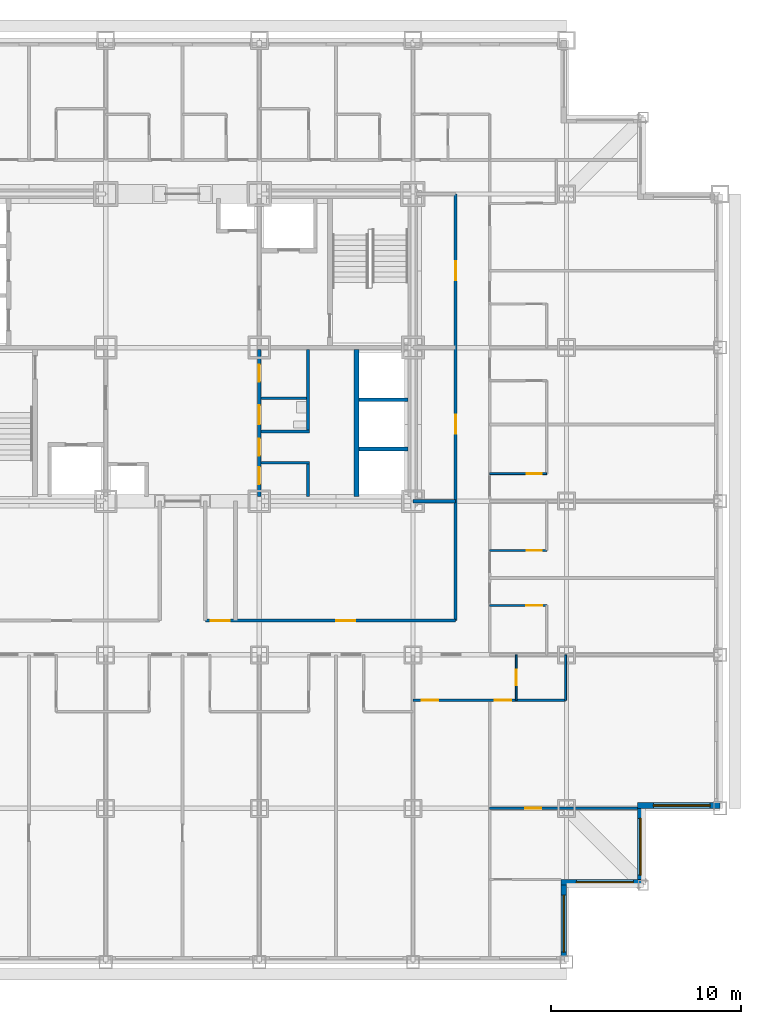
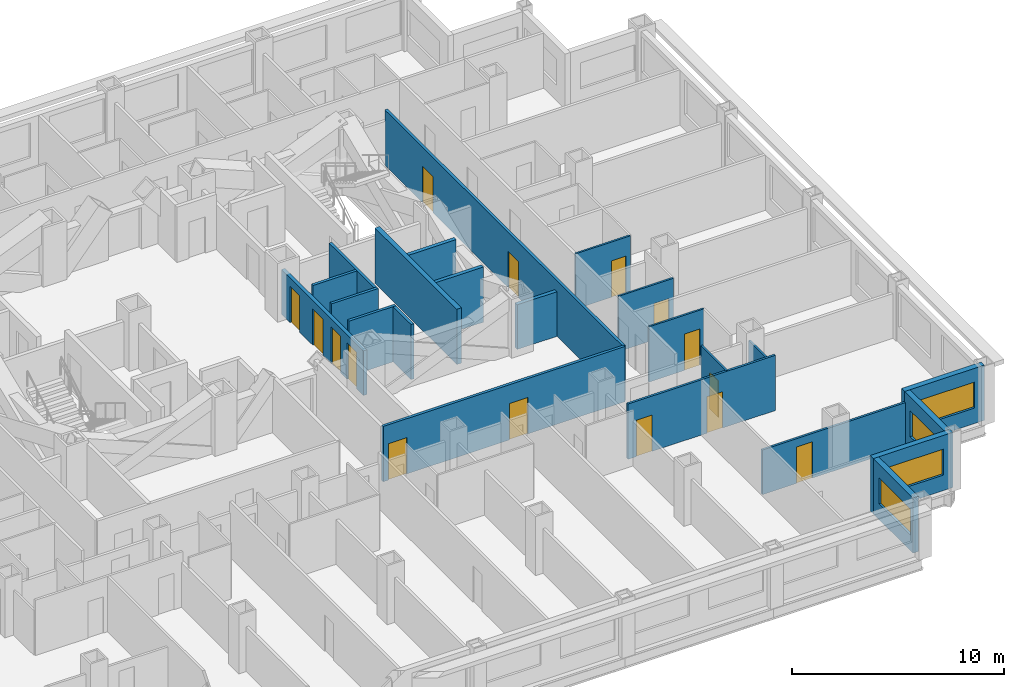
# One storey, part 6 of 12: 23 walls, 15 doors, 4 windows, 19 openings.
"""IFC4 building model written with IfcOpenShell, lengths in metres."""

from ifc_helpers import new_model, si_unit, direction, frame, frame_2d, origin, place, context, subcontext, project, spatial, rectangle, extrude, material, layer, layer_set, type_object, element, fill, save


model = new_model("IFC4")

# Units and contexts
model_context = context("Model", 3, precision=1e-05, world=origin(), true_north=direction((0.0, 1.0)))
body_context = subcontext(model_context, "Body", "Model", "MODEL_VIEW")
ifc_project = project(units=[si_unit("LENGTHUNIT", "METRE"), si_unit("AREAUNIT", "SQUARE_METRE"), si_unit("VOLUMEUNIT", "CUBIC_METRE"), si_unit("PLANEANGLEUNIT", "RADIAN"), si_unit("MASSUNIT", "GRAM", prefix="KILO")], contexts=[model_context])

# Site, building, storey
site_placement = place(None, origin())
site = spatial("IfcSite", under=ifc_project, at=site_placement, CompositionType="ELEMENT")
building_placement = place(site_placement, origin())
building = spatial("IfcBuilding", under=site, at=building_placement, Name="Kopane Lantern Tower", CompositionType="ELEMENT")
storey_placement = place(building_placement, frame((0.0, 0.0, 39.800048828125)))
storey = spatial("IfcBuildingStorey", under=building, at=storey_placement, Name="L08", CompositionType="ELEMENT", Elevation=39.800048828125)

# Wall, openings, doors
ifc_material_1 = material(Name="Gypsum board on steel studs", Category="steel")
ifc_layer_1 = layer(ifc_material_1, 0.1201171875)
ifc_layer_set_1 = layer_set([ifc_layer_1], Name="APARTMENT INTERNAL WALL 120")
wall_type_1 = type_object("IfcWallType", Name="APARTMENT INTERNAL WALL 120", PredefinedType="PARTITIONING", material=ifc_layer_set_1)
wall_1_placement = place(storey_placement, frame((40.5, 13.800048828125, 0.0), z_axis=(0.0, 0.0, 1.0), x_axis=(1.0, 0.0, 0.0)))
wall_1 = element("IfcWall", 1, at=wall_1_placement, inside=storey, type_object=wall_type_1, Name="Apartment Internal Wall 120 L08", PredefinedType="PARTITIONING", context=body_context, shape_type="SweptSolid", body=[
    extrude(rectangle(XDim=8.050048828125, YDim=0.1201171875, at=frame_2d((4.02490234375, 0.0))), origin(), (0.0, 0.0, 1.0), 3.18994140625),
])
opening_1_placement = place(wall_1_placement, frame((0.47509765625, 0.0, 0.0)))
opening_1 = element("IfcOpeningElement", 2, at=opening_1_placement, cuts=wall_1, Name="Opening L08-065", PredefinedType="OPENING", context=body_context, shape_type="SweptSolid", body=[
    extrude(rectangle(XDim=0.85009765625, YDim=2.10009765625, at=frame_2d((0.425048828125, 1.050048828125))), frame((0.0, 0.070068359375, 0.0), z_axis=(0.0, -1.0, 0.0), x_axis=(1.0, 0.0, 0.0)), (0.0, 0.0, 1.0), 0.14013671875),
])
opening_2_placement = place(wall_1_placement, frame((4.324951171875, 0.0, 0.0)))
opening_2 = element("IfcOpeningElement", 3, at=opening_2_placement, cuts=wall_1, Name="Opening L08-067", PredefinedType="OPENING", context=body_context, shape_type="SweptSolid", body=[
    extrude(rectangle(XDim=0.85009765625, YDim=2.10009765625, at=frame_2d((0.425048828125, 1.050048828125))), frame((0.0, 0.070068359375, 0.0), z_axis=(0.0, -1.0, 0.0), x_axis=(1.0, 0.0, 0.0)), (0.0, 0.0, 1.0), 0.14013671875),
])
ifc_material_2 = material(Name="Timber door set", Category="wood")
door_type_1 = type_object("IfcDoorType", Name="DOOR D4 850x2100", OperationType="SINGLE_SWING_LEFT", PredefinedType="DOOR", material=ifc_material_2)
door_1_placement = place(opening_1_placement, origin())
door_1 = element("IfcDoor", 4, at=door_1_placement, inside=storey, type_object=door_type_1, Name="Door L08-065", OperationType="SINGLE_SWING_LEFT", OverallHeight=2.10009765625, OverallWidth=0.85009765625, PredefinedType="DOOR", context=body_context, shape_type="SweptSolid", body=[
    extrude(rectangle(XDim=0.85009765625, YDim=2.10009765625, at=frame_2d((0.425048828125, 1.050048828125))), frame((0.0, 0.02490234375, 0.0), z_axis=(0.0, -1.0, 0.0), x_axis=(1.0, 0.0, 0.0)), (0.0, 0.0, 1.0), 0.050048828125),
])
fill(opening_1, door_1)
door_2_placement = place(opening_2_placement, origin())
door_2 = element("IfcDoor", 5, at=door_2_placement, inside=storey, type_object=door_type_1, Name="Door L08-067", OperationType="SINGLE_SWING_RIGHT", OverallHeight=2.10009765625, OverallWidth=0.85009765625, PredefinedType="DOOR", context=body_context, shape_type="SweptSolid", body=[
    extrude(rectangle(XDim=0.85009765625, YDim=2.10009765625, at=frame_2d((0.425048828125, 1.050048828125))), frame((0.0, 0.02490234375, 0.0), z_axis=(0.0, -1.0, 0.0), x_axis=(1.0, 0.0, 0.0)), (0.0, 0.0, 1.0), 0.050048828125),
])
fill(opening_2, door_2)

# Wall, opening, door
wall_2_placement = place(storey_placement, frame((44.550048828125, 8.10009765625, 0.0), z_axis=(0.0, 0.0, 1.0), x_axis=(1.0, 0.0, 0.0)))
wall_2 = element("IfcWall", 6, at=wall_2_placement, inside=storey, type_object=wall_type_1, Name="Apartment Internal Wall 120 L08", PredefinedType="PARTITIONING", context=body_context, shape_type="SweptSolid", body=[
    extrude(rectangle(XDim=7.800048828125, YDim=0.1201171875, at=frame_2d((3.89990234375, 0.0))), origin(), (0.0, 0.0, 1.0), 2.57763671875),
])
opening_3_placement = place(wall_2_placement, frame((1.875, 0.0, 0.0)))
opening_3 = element("IfcOpeningElement", 7, at=opening_3_placement, cuts=wall_2, Name="Opening L08-068", PredefinedType="OPENING", context=body_context, shape_type="SweptSolid", body=[
    extrude(rectangle(XDim=0.85009765625, YDim=2.10009765625, at=frame_2d((0.425048828125, 1.050048828125))), frame((0.0, 0.070068359375, 0.0), z_axis=(0.0, -1.0, 0.0), x_axis=(1.0, 0.0, 0.0)), (0.0, 0.0, 1.0), 0.14013671875),
])
door_3_placement = place(opening_3_placement, origin())
door_3 = element("IfcDoor", 8, at=door_3_placement, inside=storey, type_object=door_type_1, Name="Door L08-068", OperationType="SINGLE_SWING_LEFT", OverallHeight=2.10009765625, OverallWidth=0.85009765625, PredefinedType="DOOR", context=body_context, shape_type="SweptSolid", body=[
    extrude(rectangle(XDim=0.85009765625, YDim=2.10009765625, at=frame_2d((0.425048828125, 1.050048828125))), frame((0.0, 0.02490234375, 0.0), z_axis=(0.0, -1.0, 0.0), x_axis=(1.0, 0.0, 0.0)), (0.0, 0.0, 1.0), 0.050048828125),
])
fill(opening_3, door_3)

ifc_material_3 = material(Name="Moisture-resistant board on steel studs", Category="steel")
ifc_layer_2 = layer(ifc_material_3, 0.10009765625)
ifc_layer_set_2 = layer_set([ifc_layer_2], Name="BATHROOM WALL 100")
wall_type_2 = type_object("IfcWallType", Name="BATHROOM WALL 100", PredefinedType="PARTITIONING", material=ifc_layer_set_2)
wall_3_placement = place(storey_placement, frame((44.550048828125, 18.800048828125, 0.0), z_axis=(0.0, 0.0, 1.0), x_axis=(1.0, 0.0, 0.0)))
wall_3 = element("IfcWall", 9, at=wall_3_placement, inside=storey, type_object=wall_type_2, Name="Bathroom Wall 100 L08", PredefinedType="PARTITIONING", context=body_context, shape_type="SweptSolid", body=[
    extrude(rectangle(XDim=3.0, YDim=0.10009765625, at=frame_2d((1.5, 0.0))), origin(), (0.0, 0.0, 1.0), 3.18994140625),
])
opening_4_placement = place(wall_3_placement, frame((1.925048828125, 0.0, 0.0)))
opening_4 = element("IfcOpeningElement", 10, at=opening_4_placement, cuts=wall_3, Name="Opening L08-047", PredefinedType="OPENING", context=body_context, shape_type="SweptSolid", body=[
    extrude(rectangle(XDim=0.85009765625, YDim=2.10009765625, at=frame_2d((0.425048828125, 1.050048828125))), frame((0.0, 0.06005859375, 0.0), z_axis=(0.0, -1.0, 0.0), x_axis=(1.0, 0.0, 0.0)), (0.0, 0.0, 1.0), 0.1201171875),
])
door_4_placement = place(opening_4_placement, origin())
door_4 = element("IfcDoor", 11, at=door_4_placement, inside=storey, type_object=door_type_1, Name="Door L08-047", OperationType="SINGLE_SWING_LEFT", OverallHeight=2.10009765625, OverallWidth=0.85009765625, PredefinedType="DOOR", context=body_context, shape_type="SweptSolid", body=[
    extrude(rectangle(XDim=0.85009765625, YDim=2.10009765625, at=frame_2d((0.425048828125, 1.050048828125))), frame((0.0, 0.02490234375, 0.0), z_axis=(0.0, -1.0, 0.0), x_axis=(1.0, 0.0, 0.0)), (0.0, 0.0, 1.0), 0.050048828125),
])
fill(opening_4, door_4)

wall_4_placement = place(storey_placement, frame((44.550048828125, 21.699951171875, 0.0), z_axis=(0.0, 0.0, 1.0), x_axis=(1.0, 0.0, 0.0)))
wall_4 = element("IfcWall", 12, at=wall_4_placement, inside=storey, type_object=wall_type_2, Name="Bathroom Wall 100 L08", PredefinedType="PARTITIONING", context=body_context, shape_type="SweptSolid", body=[
    extrude(rectangle(XDim=3.0, YDim=0.10009765625, at=frame_2d((1.5, 0.0))), origin(), (0.0, 0.0, 1.0), 3.18994140625),
])
opening_5_placement = place(wall_4_placement, frame((1.949951171875, 0.0, 0.0)))
opening_5 = element("IfcOpeningElement", 13, at=opening_5_placement, cuts=wall_4, Name="Opening L08-049", PredefinedType="OPENING", context=body_context, shape_type="SweptSolid", body=[
    extrude(rectangle(XDim=0.800048828125, YDim=2.10009765625, at=frame_2d((0.39990234375, 1.050048828125))), frame((0.0, 0.06005859375, 0.0), z_axis=(0.0, -1.0, 0.0), x_axis=(1.0, 0.0, 0.0)), (0.0, 0.0, 1.0), 0.1201171875),
])
ifc_material_4 = material(Name="Timber door set", Category="wood")
door_type_2 = type_object("IfcDoorType", Name="DOOR D2 800x2100", OperationType="SINGLE_SWING_LEFT", PredefinedType="DOOR", material=ifc_material_4)
door_5_placement = place(opening_5_placement, origin())
door_5 = element("IfcDoor", 14, at=door_5_placement, inside=storey, type_object=door_type_2, Name="Door L08-049", OperationType="SINGLE_SWING_RIGHT", OverallHeight=2.10009765625, OverallWidth=0.800048828125, PredefinedType="DOOR", context=body_context, shape_type="SweptSolid", body=[
    extrude(rectangle(XDim=0.800048828125, YDim=2.10009765625, at=frame_2d((0.39990234375, 1.050048828125))), frame((0.0, 0.02490234375, 0.0), z_axis=(0.0, -1.0, 0.0), x_axis=(1.0, 0.0, 0.0)), (0.0, 0.0, 1.0), 0.050048828125),
])
fill(opening_5, door_5)

wall_5_placement = place(storey_placement, frame((44.550048828125, 25.75, 0.0), z_axis=(0.0, 0.0, 1.0), x_axis=(1.0, 0.0, 0.0)))
wall_5 = element("IfcWall", 15, at=wall_5_placement, inside=storey, type_object=wall_type_2, Name="Bathroom Wall 100 L08", PredefinedType="PARTITIONING", context=body_context, shape_type="SweptSolid", body=[
    extrude(rectangle(XDim=3.0, YDim=0.10009765625, at=frame_2d((1.5, 0.0))), origin(), (0.0, 0.0, 1.0), 3.18994140625),
])
opening_6_placement = place(wall_5_placement, frame((1.949951171875, 0.0, 0.0)))
opening_6 = element("IfcOpeningElement", 16, at=opening_6_placement, cuts=wall_5, Name="Opening L08-051", PredefinedType="OPENING", context=body_context, shape_type="SweptSolid", body=[
    extrude(rectangle(XDim=0.800048828125, YDim=2.10009765625, at=frame_2d((0.39990234375, 1.050048828125))), frame((0.0, 0.06005859375, 0.0), z_axis=(0.0, -1.0, 0.0), x_axis=(1.0, 0.0, 0.0)), (0.0, 0.0, 1.0), 0.1201171875),
])
door_6_placement = place(opening_6_placement, origin())
door_6 = element("IfcDoor", 17, at=door_6_placement, inside=storey, type_object=door_type_2, Name="Door L08-051", OperationType="SINGLE_SWING_RIGHT", OverallHeight=2.10009765625, OverallWidth=0.800048828125, PredefinedType="DOOR", context=body_context, shape_type="SweptSolid", body=[
    extrude(rectangle(XDim=0.800048828125, YDim=2.10009765625, at=frame_2d((0.39990234375, 1.050048828125))), frame((0.0, 0.02490234375, 0.0), z_axis=(0.0, -1.0, 0.0), x_axis=(1.0, 0.0, 0.0)), (0.0, 0.0, 1.0), 0.050048828125),
])
fill(opening_6, door_6)

wall_6_placement = place(storey_placement, frame((45.949951171875, 16.199951171875, 0.0), z_axis=(0.0, 0.0, 1.0), x_axis=(0.0, -1.0, 0.0)))
wall_6 = element("IfcWall", 18, at=wall_6_placement, inside=storey, type_object=wall_type_2, Name="Bathroom Wall 100 L08", PredefinedType="PARTITIONING", context=body_context, shape_type="SweptSolid", body=[
    extrude(rectangle(XDim=2.39990234375, YDim=0.10009765625, at=frame_2d((1.199951171875, 0.0))), origin(), (0.0, 0.0, 1.0), 3.18994140625),
])
opening_7_placement = place(wall_6_placement, frame((0.800048828125, 0.0, 0.0)))
opening_7 = element("IfcOpeningElement", 19, at=opening_7_placement, cuts=wall_6, Name="Opening L08-066", PredefinedType="OPENING", context=body_context, shape_type="SweptSolid", body=[
    extrude(rectangle(XDim=0.800048828125, YDim=2.10009765625, at=frame_2d((0.39990234375, 1.050048828125))), frame((0.0, 0.06005859375, 0.0), z_axis=(0.0, -1.0, 0.0), x_axis=(1.0, 0.0, 0.0)), (0.0, 0.0, 1.0), 0.1201171875),
])
door_7_placement = place(opening_7_placement, origin())
door_7 = element("IfcDoor", 20, at=door_7_placement, inside=storey, type_object=door_type_2, Name="Door L08-066", OperationType="SINGLE_SWING_LEFT", OverallHeight=2.10009765625, OverallWidth=0.800048828125, PredefinedType="DOOR", context=body_context, shape_type="SweptSolid", body=[
    extrude(rectangle(XDim=0.800048828125, YDim=2.10009765625, at=frame_2d((0.39990234375, 1.050048828125))), frame((0.0, 0.02490234375, 0.0), z_axis=(0.0, -1.0, 0.0), x_axis=(1.0, 0.0, 0.0)), (0.0, 0.0, 1.0), 0.050048828125),
])
fill(opening_7, door_7)

# Walls
wall_7_placement = place(storey_placement, frame((48.550048828125, 16.199951171875, 0.0), z_axis=(0.0, 0.0, 1.0), x_axis=(0.0, -1.0, 0.0)))
element("IfcWall", 21, at=wall_7_placement, inside=storey, type_object=wall_type_2, Name="Bathroom Wall 100 L08", PredefinedType="PARTITIONING", context=body_context, shape_type="SweptSolid", body=[
    extrude(rectangle(XDim=2.39990234375, YDim=0.10009765625, at=frame_2d((1.199951171875, 0.0))), origin(), (0.0, 0.0, 1.0), 2.57763671875),
])
ifc_material_5 = material(Name="Gypsum partition EI 60", Category="gypsum")
ifc_layer_3 = layer(ifc_material_5, 0.14990234375)
ifc_layer_set_3 = layer_set([ifc_layer_3], Name="CORE ROOM PARTITION 150 EI 60")
wall_type_3 = type_object("IfcWallType", Name="CORE ROOM PARTITION 150 EI 60", PredefinedType="PARTITIONING", material=ifc_layer_set_3)
for number, where, z_axis, x_axis, name in (
    (22, (32.5, 26.324951171875, 0.0), (0.0, 0.0, 1.0), (1.0, 0.0, 0.0), "Core room partition L08 E1"),
    (23, (32.5, 27.97509765625, 0.0), (0.0, 0.0, 1.0), (1.0, 0.0, 0.0), "Core room partition L08 E2"),
):
    element("IfcWall", number, at=place(storey_placement, frame(where, z_axis=z_axis, x_axis=x_axis)), inside=storey, type_object=wall_type_3, Name=name, PredefinedType="PARTITIONING", context=body_context, shape_type="SweptSolid", body=[
        extrude(rectangle(XDim=2.550048828125, YDim=0.14990234375, at=frame_2d((1.27490234375, 0.0))), origin(), (0.0, 0.0, 1.0), 3.18994140625),
    ])
wall_8_placement = place(storey_placement, frame((32.5, 29.72509765625, 0.0), z_axis=(0.0, 0.0, 1.0), x_axis=(1.0, 0.0, 0.0)))
element("IfcWall", 24, at=wall_8_placement, inside=storey, type_object=wall_type_3, Name="Core room partition L08 E3", PredefinedType="PARTITIONING", context=body_context, shape_type="SweptSolid", body=[
    extrude(rectangle(XDim=2.39990234375, YDim=0.14990234375, at=frame_2d((1.199951171875, 0.0))), origin(), (0.0, 0.0, 1.0), 3.18994140625),
])
wall_9_placement = place(storey_placement, frame((34.97509765625, 24.550048828125, 0.0), z_axis=(0.0, 0.0, 1.0), x_axis=(0.0, 1.0, 0.0)))
element("IfcWall", 25, at=wall_9_placement, inside=storey, type_object=wall_type_3, Name="Core room partition L08 EB0", PredefinedType="PARTITIONING", context=body_context, shape_type="SweptSolid", body=[
    extrude(rectangle(XDim=1.699951171875, YDim=0.14990234375, at=frame_2d((0.85009765625, 0.0))), origin(), (0.0, 0.0, 1.0), 3.18994140625),
])
wall_10_placement = place(storey_placement, frame((34.97509765625, 28.050048828125, 0.0), z_axis=(0.0, 0.0, 1.0), x_axis=(0.0, 1.0, 0.0)))
element("IfcWall", 26, at=wall_10_placement, inside=storey, type_object=wall_type_3, Name="Core room partition L08 EB1", PredefinedType="PARTITIONING", context=body_context, shape_type="SweptSolid", body=[
    extrude(rectangle(XDim=4.25, YDim=0.14990234375, at=frame_2d((2.125, 0.0))), origin(), (0.0, 0.0, 1.0), 3.18994140625),
])

# Wall, openings, doors
ifc_material_6 = material(Name="Gypsum partition EI 60", Category="gypsum")
ifc_layer_4 = layer(ifc_material_6, 0.199951171875)
ifc_layer_set_4 = layer_set([ifc_layer_4], Name="CORE ROOM WALL 200 EI 60")
wall_type_4 = type_object("IfcWallType", Name="CORE ROOM WALL 200 EI 60", PredefinedType="PARTITIONING", material=ifc_layer_set_4)
wall_11_placement = place(storey_placement, frame((32.39990234375, 24.550048828125, 0.0), z_axis=(0.0, 0.0, 1.0), x_axis=(0.0, 1.0, 0.0)))
wall_11 = element("IfcWall", 27, at=wall_11_placement, inside=storey, type_object=wall_type_4, Name="Core room wall L08 XE", PredefinedType="PARTITIONING", context=body_context, shape_type="SweptSolid", body=[
    extrude(rectangle(XDim=7.75, YDim=0.199951171875, at=frame_2d((3.875, 0.0))), origin(), (0.0, 0.0, 1.0), 2.57763671875),
])
opening_8_placement = place(wall_11_placement, frame((0.64990234375, 0.0, 0.0)))
opening_8 = element("IfcOpeningElement", 28, at=opening_8_placement, cuts=wall_11, Name="Opening 08.C20", PredefinedType="OPENING", context=body_context, shape_type="SweptSolid", body=[
    extrude(rectangle(XDim=0.89990234375, YDim=2.10009765625, at=frame_2d((0.449951171875, 1.050048828125))), frame((0.0, 0.10986328125, 0.0), z_axis=(0.0, -1.0, 0.0), x_axis=(1.0, 0.0, 0.0)), (0.0, 0.0, 1.0), 0.219970703125),
])
opening_9_placement = place(wall_11_placement, frame((2.14990234375, 0.0, 0.0)))
opening_9 = element("IfcOpeningElement", 29, at=opening_9_placement, cuts=wall_11, Name="Opening 08.C21", PredefinedType="OPENING", context=body_context, shape_type="SweptSolid", body=[
    extrude(rectangle(XDim=0.89990234375, YDim=2.10009765625, at=frame_2d((0.449951171875, 1.050048828125))), frame((0.0, 0.10986328125, 0.0), z_axis=(0.0, -1.0, 0.0), x_axis=(1.0, 0.0, 0.0)), (0.0, 0.0, 1.0), 0.219970703125),
])
opening_10_placement = place(wall_11_placement, frame((3.800048828125, 0.0, 0.0)))
opening_10 = element("IfcOpeningElement", 30, at=opening_10_placement, cuts=wall_11, Name="Opening 08.C22", PredefinedType="OPENING", context=body_context, shape_type="SweptSolid", body=[
    extrude(rectangle(XDim=1.0, YDim=2.10009765625, at=frame_2d((0.5, 1.050048828125))), frame((0.0, 0.10986328125, 0.0), z_axis=(0.0, -1.0, 0.0), x_axis=(1.0, 0.0, 0.0)), (0.0, 0.0, 1.0), 0.219970703125),
])
opening_11_placement = place(wall_11_placement, frame((6.050048828125, 0.0, 0.0)))
opening_11 = element("IfcOpeningElement", 31, at=opening_11_placement, cuts=wall_11, Name="Opening 08.C23", PredefinedType="OPENING", context=body_context, shape_type="SweptSolid", body=[
    extrude(rectangle(XDim=0.89990234375, YDim=2.10009765625, at=frame_2d((0.449951171875, 1.050048828125))), frame((0.0, 0.10986328125, 0.0), z_axis=(0.0, -1.0, 0.0), x_axis=(1.0, 0.0, 0.0)), (0.0, 0.0, 1.0), 0.219970703125),
])
ifc_material_7 = material(Name="Steel door set", Category="steel")
door_type_3 = type_object("IfcDoorType", Name="CORE ROOM DOOR 1000x2100 FD30S", OperationType="SINGLE_SWING_RIGHT", PredefinedType="DOOR", material=ifc_material_7)
door_8_placement = place(opening_10_placement, origin())
door_8 = element("IfcDoor", 32, at=door_8_placement, inside=storey, type_object=door_type_3, Name="Door Staff WC L08", OperationType="SINGLE_SWING_RIGHT", OverallHeight=2.10009765625, OverallWidth=1.0, PredefinedType="DOOR", context=body_context, shape_type="SweptSolid", body=[
    extrude(rectangle(XDim=1.0, YDim=2.10009765625, at=frame_2d((0.5, 1.050048828125))), frame((0.0, 0.02490234375, 0.0), z_axis=(0.0, -1.0, 0.0), x_axis=(1.0, 0.0, 0.0)), (0.0, 0.0, 1.0), 0.050048828125),
])
fill(opening_10, door_8)
ifc_material_8 = material(Name="Steel door set", Category="steel")
door_type_4 = type_object("IfcDoorType", Name="CORE ROOM DOOR 900x2100 FD60", OperationType="SINGLE_SWING_LEFT", PredefinedType="DOOR", material=ifc_material_8)
door_9_placement = place(opening_8_placement, origin())
door_9 = element("IfcDoor", 33, at=door_9_placement, inside=storey, type_object=door_type_4, Name="Door Cleaner store L08", OperationType="SINGLE_SWING_LEFT", OverallHeight=2.10009765625, OverallWidth=0.89990234375, PredefinedType="DOOR", context=body_context, shape_type="SweptSolid", body=[
    extrude(rectangle(XDim=0.89990234375, YDim=2.10009765625, at=frame_2d((0.449951171875, 1.050048828125))), frame((0.0, 0.02490234375, 0.0), z_axis=(0.0, -1.0, 0.0), x_axis=(1.0, 0.0, 0.0)), (0.0, 0.0, 1.0), 0.050048828125),
])
fill(opening_8, door_9)
door_10_placement = place(opening_9_placement, origin())
door_10 = element("IfcDoor", 34, at=door_10_placement, inside=storey, type_object=door_type_4, Name="Door Housekeeping store L08", OperationType="SINGLE_SWING_LEFT", OverallHeight=2.10009765625, OverallWidth=0.89990234375, PredefinedType="DOOR", context=body_context, shape_type="SweptSolid", body=[
    extrude(rectangle(XDim=0.89990234375, YDim=2.10009765625, at=frame_2d((0.449951171875, 1.050048828125))), frame((0.0, 0.02490234375, 0.0), z_axis=(0.0, -1.0, 0.0), x_axis=(1.0, 0.0, 0.0)), (0.0, 0.0, 1.0), 0.050048828125),
])
fill(opening_9, door_10)
door_11_placement = place(opening_11_placement, origin())
door_11 = element("IfcDoor", 35, at=door_11_placement, inside=storey, type_object=door_type_4, Name="Door IT room L08", OperationType="SINGLE_SWING_LEFT", OverallHeight=2.10009765625, OverallWidth=0.89990234375, PredefinedType="DOOR", context=body_context, shape_type="SweptSolid", body=[
    extrude(rectangle(XDim=0.89990234375, YDim=2.10009765625, at=frame_2d((0.449951171875, 1.050048828125))), frame((0.0, 0.02490234375, 0.0), z_axis=(0.0, -1.0, 0.0), x_axis=(1.0, 0.0, 0.0)), (0.0, 0.0, 1.0), 0.050048828125),
])
fill(opening_11, door_11)

# Wall
ifc_material_9 = material(Name="Gypsum shaft wall EI 120", Category="gypsum")
ifc_layer_5 = layer(ifc_material_9, 0.25)
ifc_layer_set_5 = layer_set([ifc_layer_5], Name="CORE SHAFT WALL 250 EI 120")
wall_type_5 = type_object("IfcWallType", Name="CORE SHAFT WALL 250 EI 120", PredefinedType="SOLIDWALL", material=ifc_layer_set_5)
wall_12_placement = place(storey_placement, frame((37.52490234375, 24.550048828125, 0.0), z_axis=(0.0, 0.0, 1.0), x_axis=(0.0, 1.0, 0.0)))
element("IfcWall", 36, at=wall_12_placement, inside=storey, type_object=wall_type_5, Name="Core shaft wall L08 XLR", PredefinedType="SOLIDWALL", context=body_context, shape_type="SweptSolid", body=[
    extrude(rectangle(XDim=7.75, YDim=0.25, at=frame_2d((3.875, 0.0))), origin(), (0.0, 0.0, 1.0), 3.18994140625),
])

# Wall, openings, doors
ifc_material_10 = material(Name="Gypsum board on steel studs", Category="steel")
ifc_layer_6 = layer(ifc_material_10, 0.14990234375)
ifc_layer_set_6 = layer_set([ifc_layer_6], Name="CORRIDOR WALL 150 EI 60")
wall_type_6 = type_object("IfcWallType", Name="CORRIDOR WALL 150 EI 60", PredefinedType="PARTITIONING", material=ifc_layer_set_6)
wall_13_placement = place(storey_placement, frame((42.75, 18.0, 0.0), z_axis=(0.0, 0.0, 1.0), x_axis=(0.0, 1.0, 0.0)))
wall_13 = element("IfcWall", 37, at=wall_13_placement, inside=storey, type_object=wall_type_6, Name="Corridor Wall 150 Ei 60 L08", PredefinedType="PARTITIONING", context=body_context, shape_type="SweptSolid", body=[
    extrude(rectangle(XDim=22.5, YDim=0.14990234375, at=frame_2d((11.25, 0.0))), origin(), (0.0, 0.0, 1.0), 3.18994140625),
])
opening_12_placement = place(wall_13_placement, frame((9.85009765625, 0.0, 0.0)))
opening_12 = element("IfcOpeningElement", 38, at=opening_12_placement, cuts=wall_13, Name="Opening L08-003", PredefinedType="OPENING", context=body_context, shape_type="SweptSolid", body=[
    extrude(rectangle(XDim=1.0, YDim=2.10009765625, at=frame_2d((0.5, 1.050048828125))), frame((0.0, 0.0849609375, 0.0), z_axis=(0.0, -1.0, 0.0), x_axis=(1.0, 0.0, 0.0)), (0.0, 0.0, 1.0), 0.169921875),
])
opening_13_placement = place(wall_13_placement, frame((17.949951171875, 0.0, 0.0)))
opening_13 = element("IfcOpeningElement", 39, at=opening_13_placement, cuts=wall_13, Name="Opening L08-004", PredefinedType="OPENING", context=body_context, shape_type="SweptSolid", body=[
    extrude(rectangle(XDim=1.0, YDim=2.10009765625, at=frame_2d((0.5, 1.050048828125))), frame((0.0, 0.0849609375, 0.0), z_axis=(0.0, -1.0, 0.0), x_axis=(1.0, 0.0, 0.0)), (0.0, 0.0, 1.0), 0.169921875),
])
ifc_material_11 = material(Name="Steel door set", Category="steel")
door_type_5 = type_object("IfcDoorType", Name="DOOR D5 1000x2100 FD60", OperationType="SINGLE_SWING_LEFT", PredefinedType="DOOR", material=ifc_material_11)
door_12_placement = place(opening_12_placement, origin())
door_12 = element("IfcDoor", 40, at=door_12_placement, inside=storey, type_object=door_type_5, Name="Door L08-003", OperationType="SINGLE_SWING_LEFT", OverallHeight=2.10009765625, OverallWidth=1.0, PredefinedType="DOOR", context=body_context, shape_type="SweptSolid", body=[
    extrude(rectangle(XDim=1.0, YDim=2.10009765625, at=frame_2d((0.5, 1.050048828125))), frame((0.0, 0.02490234375, 0.0), z_axis=(0.0, -1.0, 0.0), x_axis=(1.0, 0.0, 0.0)), (0.0, 0.0, 1.0), 0.050048828125),
])
fill(opening_12, door_12)
door_13_placement = place(opening_13_placement, origin())
door_13 = element("IfcDoor", 41, at=door_13_placement, inside=storey, type_object=door_type_5, Name="Door L08-004", OperationType="SINGLE_SWING_RIGHT", OverallHeight=2.10009765625, OverallWidth=1.0, PredefinedType="DOOR", context=body_context, shape_type="SweptSolid", body=[
    extrude(rectangle(XDim=1.0, YDim=2.10009765625, at=frame_2d((0.5, 1.050048828125))), frame((0.0, 0.02490234375, 0.0), z_axis=(0.0, -1.0, 0.0), x_axis=(1.0, 0.0, 0.0)), (0.0, 0.0, 1.0), 0.050048828125),
])
fill(opening_13, door_13)

wall_14_placement = place(storey_placement, frame((29.56005859375, 18.0, 0.0), z_axis=(0.0, 0.0, 1.0), x_axis=(1.0, 0.0, 0.0)))
wall_14 = element("IfcWall", 42, at=wall_14_placement, inside=storey, type_object=wall_type_6, Name="Corridor Wall 150 Ei 60 L08", PredefinedType="PARTITIONING", context=body_context, shape_type="SweptSolid", body=[
    extrude(rectangle(XDim=13.18994140625, YDim=0.14990234375, at=frame_2d((6.594970703125, 0.0))), origin(), (0.0, 0.0, 1.0), 3.18994140625),
])
opening_14_placement = place(wall_14_placement, frame((0.2900390625, 0.0, 0.0)))
opening_14 = element("IfcOpeningElement", 43, at=opening_14_placement, cuts=wall_14, Name="Opening L08-007", PredefinedType="OPENING", context=body_context, shape_type="SweptSolid", body=[
    extrude(rectangle(XDim=1.0, YDim=2.10009765625, at=frame_2d((0.5, 1.050048828125))), frame((0.0, 0.0849609375, 0.0), z_axis=(0.0, -1.0, 0.0), x_axis=(1.0, 0.0, 0.0)), (0.0, 0.0, 1.0), 0.169921875),
])
opening_15_placement = place(wall_14_placement, frame((6.889892578125, 0.0, 0.0)))
opening_15 = element("IfcOpeningElement", 44, at=opening_15_placement, cuts=wall_14, Name="Opening L08-008", PredefinedType="OPENING", context=body_context, shape_type="SweptSolid", body=[
    extrude(rectangle(XDim=1.0, YDim=2.10009765625, at=frame_2d((0.5, 1.050048828125))), frame((0.0, 0.0849609375, 0.0), z_axis=(0.0, -1.0, 0.0), x_axis=(1.0, 0.0, 0.0)), (0.0, 0.0, 1.0), 0.169921875),
])
door_14_placement = place(opening_14_placement, origin())
door_14 = element("IfcDoor", 45, at=door_14_placement, inside=storey, type_object=door_type_5, Name="Door L08-007", OperationType="SINGLE_SWING_LEFT", OverallHeight=2.10009765625, OverallWidth=1.0, PredefinedType="DOOR", context=body_context, shape_type="SweptSolid", body=[
    extrude(rectangle(XDim=1.0, YDim=2.10009765625, at=frame_2d((0.5, 1.050048828125))), frame((0.0, 0.02490234375, 0.0), z_axis=(0.0, -1.0, 0.0), x_axis=(1.0, 0.0, 0.0)), (0.0, 0.0, 1.0), 0.050048828125),
])
fill(opening_14, door_14)
door_15_placement = place(opening_15_placement, origin())
door_15 = element("IfcDoor", 46, at=door_15_placement, inside=storey, type_object=door_type_5, Name="Door L08-008", OperationType="SINGLE_SWING_RIGHT", OverallHeight=2.10009765625, OverallWidth=1.0, PredefinedType="DOOR", context=body_context, shape_type="SweptSolid", body=[
    extrude(rectangle(XDim=1.0, YDim=2.10009765625, at=frame_2d((0.5, 1.050048828125))), frame((0.0, 0.02490234375, 0.0), z_axis=(0.0, -1.0, 0.0), x_axis=(1.0, 0.0, 0.0)), (0.0, 0.0, 1.0), 0.050048828125),
])
fill(opening_15, door_15)

# Wall, opening, window
ifc_material_12 = material(Name="Terracotta rainscreen on light steel framing", Category="masonry")
ifc_layer_7 = layer(ifc_material_12, 0.300048828125)
ifc_layer_set_7 = layer_set([ifc_layer_7], Name="EXTERNAL WALL EW1 300 TERRACOTTA")
wall_type_7 = type_object("IfcWallType", Name="EXTERNAL WALL EW1 300 TERRACOTTA", PredefinedType="SOLIDWALL", material=ifc_layer_set_7)
wall_15_placement = place(storey_placement, frame((48.449951171875, 0.300048828125, 0.0), z_axis=(0.0, 0.0, 1.0), x_axis=(0.0, 1.0, 0.0)))
wall_15 = element("IfcWall", 47, at=wall_15_placement, inside=storey, type_object=wall_type_7, Name="External wall E L08", PredefinedType="SOLIDWALL", context=body_context, shape_type="SweptSolid", body=[
    extrude(rectangle(XDim=3.75, YDim=0.300048828125, at=frame_2d((1.875, 0.0))), origin(), (0.0, 0.0, 1.0), 3.18994140625),
])
opening_16_placement = place(wall_15_placement, frame((0.22509765625, 0.0, 0.89990234375)))
opening_16 = element("IfcOpeningElement", 48, at=opening_16_placement, cuts=wall_15, Name="Opening WR300150", PredefinedType="OPENING", context=body_context, shape_type="SweptSolid", body=[
    extrude(rectangle(XDim=3.0, YDim=1.5, at=frame_2d((1.5, 0.75))), frame((0.0, 0.159912109375, 0.0), z_axis=(0.0, -1.0, 0.0), x_axis=(1.0, 0.0, 0.0)), (0.0, 0.0, 1.0), 0.320068359375),
])
ifc_material_13 = material(Name="Aluminium and clear glass", Category="aluminium")
window_type = type_object("IfcWindowType", Name="RIBBON WINDOW WR300150 3000x1500", PartitioningType="SINGLE_PANEL", PredefinedType="WINDOW", material=ifc_material_13)
window_1_placement = place(opening_16_placement, origin())
window_1 = element("IfcWindow", 49, at=window_1_placement, inside=storey, type_object=window_type, Name="Window E L08", OverallHeight=1.5, OverallWidth=3.0, PartitioningType="SINGLE_PANEL", PredefinedType="WINDOW", context=body_context, shape_type="SweptSolid", body=[
    extrude(rectangle(XDim=3.0, YDim=1.5, at=frame_2d((1.5, 0.75))), frame((0.0, 0.030029296875, 0.0), z_axis=(0.0, -1.0, 0.0), x_axis=(1.0, 0.0, 0.0)), (0.0, 0.0, 1.0), 0.06005859375),
])
fill(opening_16, window_1)

wall_16_placement = place(storey_placement, frame((48.300048828125, 4.199951171875, 0.0), z_axis=(0.0, 0.0, 1.0), x_axis=(1.0, 0.0, 0.0)))
wall_16 = element("IfcWall", 50, at=wall_16_placement, inside=storey, type_object=wall_type_7, Name="External wall S L08", PredefinedType="SOLIDWALL", context=body_context, shape_type="SweptSolid", body=[
    extrude(rectangle(XDim=4.349853515625, YDim=0.300048828125, at=frame_2d((2.1748046875, 0.0))), origin(), (0.0, 0.0, 1.0), 3.18994140625),
])
opening_17_placement = place(wall_16_placement, frame((0.824951171875, 0.0, 0.89990234375)))
opening_17 = element("IfcOpeningElement", 51, at=opening_17_placement, cuts=wall_16, Name="Opening WR300150", PredefinedType="OPENING", context=body_context, shape_type="SweptSolid", body=[
    extrude(rectangle(XDim=3.0, YDim=1.5, at=frame_2d((1.5, 0.75))), frame((0.0, 0.159912109375, 0.0), z_axis=(0.0, -1.0, 0.0), x_axis=(1.0, 0.0, 0.0)), (0.0, 0.0, 1.0), 0.320068359375),
])
window_2_placement = place(opening_17_placement, origin())
window_2 = element("IfcWindow", 52, at=window_2_placement, inside=storey, type_object=window_type, Name="Window S L08", OverallHeight=1.5, OverallWidth=3.0, PartitioningType="SINGLE_PANEL", PredefinedType="WINDOW", context=body_context, shape_type="SweptSolid", body=[
    extrude(rectangle(XDim=3.0, YDim=1.5, at=frame_2d((1.5, 0.75))), frame((0.0, 0.030029296875, 0.0), z_axis=(0.0, -1.0, 0.0), x_axis=(1.0, 0.0, 0.0)), (0.0, 0.0, 1.0), 0.06005859375),
])
fill(opening_17, window_2)

wall_17_placement = place(storey_placement, frame((52.5, 4.35009765625, 0.0), z_axis=(0.0, 0.0, 1.0), x_axis=(0.0, 1.0, 0.0)))
wall_17 = element("IfcWall", 53, at=wall_17_placement, inside=storey, type_object=wall_type_7, Name="External wall E L08", PredefinedType="SOLIDWALL", context=body_context, shape_type="SweptSolid", body=[
    extrude(rectangle(XDim=3.75, YDim=0.300048828125, at=frame_2d((1.875, 0.0))), origin(), (0.0, 0.0, 1.0), 3.18994140625),
])
opening_18_placement = place(wall_17_placement, frame((0.22509765625, 0.0, 0.89990234375)))
opening_18 = element("IfcOpeningElement", 54, at=opening_18_placement, cuts=wall_17, Name="Opening WR300150", PredefinedType="OPENING", context=body_context, shape_type="SweptSolid", body=[
    extrude(rectangle(XDim=3.0, YDim=1.5, at=frame_2d((1.5, 0.75))), frame((0.0, 0.159912109375, 0.0), z_axis=(0.0, -1.0, 0.0), x_axis=(1.0, 0.0, 0.0)), (0.0, 0.0, 1.0), 0.320068359375),
])
window_3_placement = place(opening_18_placement, origin())
window_3 = element("IfcWindow", 55, at=window_3_placement, inside=storey, type_object=window_type, Name="Window E L08", OverallHeight=1.5, OverallWidth=3.0, PartitioningType="SINGLE_PANEL", PredefinedType="WINDOW", context=body_context, shape_type="SweptSolid", body=[
    extrude(rectangle(XDim=3.0, YDim=1.5, at=frame_2d((1.5, 0.75))), frame((0.0, 0.030029296875, 0.0), z_axis=(0.0, -1.0, 0.0), x_axis=(1.0, 0.0, 0.0)), (0.0, 0.0, 1.0), 0.06005859375),
])
fill(opening_18, window_3)

wall_18_placement = place(storey_placement, frame((52.35009765625, 8.25, 0.0), z_axis=(0.0, 0.0, 1.0), x_axis=(1.0, 0.0, 0.0)))
wall_18 = element("IfcWall", 56, at=wall_18_placement, inside=storey, type_object=wall_type_7, Name="External wall S L08", PredefinedType="SOLIDWALL", context=body_context, shape_type="SweptSolid", body=[
    extrude(rectangle(XDim=4.349853515625, YDim=0.300048828125, at=frame_2d((2.1748046875, 0.0))), origin(), (0.0, 0.0, 1.0), 3.18994140625),
])
opening_19_placement = place(wall_18_placement, frame((0.824951171875, 0.0, 0.89990234375)))
opening_19 = element("IfcOpeningElement", 57, at=opening_19_placement, cuts=wall_18, Name="Opening WR300150", PredefinedType="OPENING", context=body_context, shape_type="SweptSolid", body=[
    extrude(rectangle(XDim=3.0, YDim=1.5, at=frame_2d((1.5, 0.75))), frame((0.0, 0.159912109375, 0.0), z_axis=(0.0, -1.0, 0.0), x_axis=(1.0, 0.0, 0.0)), (0.0, 0.0, 1.0), 0.320068359375),
])
window_4_placement = place(opening_19_placement, origin())
window_4 = element("IfcWindow", 58, at=window_4_placement, inside=storey, type_object=window_type, Name="Window S L08", OverallHeight=1.5, OverallWidth=3.0, PartitioningType="SINGLE_PANEL", PredefinedType="WINDOW", context=body_context, shape_type="SweptSolid", body=[
    extrude(rectangle(XDim=3.0, YDim=1.5, at=frame_2d((1.5, 0.75))), frame((0.0, 0.030029296875, 0.0), z_axis=(0.0, -1.0, 0.0), x_axis=(1.0, 0.0, 0.0)), (0.0, 0.0, 1.0), 0.06005859375),
])
fill(opening_19, window_4)

# Walls
ifc_material_14 = material(Name="Concrete masonry", Category="masonry")
ifc_layer_8 = layer(ifc_material_14, 0.199951171875)
ifc_layer_set_8 = layer_set([ifc_layer_8], Name="PLANT ROOM WALL 200 EI 120")
wall_type_8 = type_object("IfcWallType", Name="PLANT ROOM WALL 200 EI 120", PredefinedType="SOLIDWALL", material=ifc_layer_set_8)
wall_19_placement = place(storey_placement, frame((40.5, 24.300048828125, 0.0), z_axis=(0.0, 0.0, 1.0), x_axis=(1.0, 0.0, 0.0)))
element("IfcWall", 59, at=wall_19_placement, inside=storey, type_object=wall_type_8, Name="Plant Room Wall 200 Ei 120 L08", PredefinedType="SOLIDWALL", context=body_context, shape_type="SweptSolid", body=[
    extrude(rectangle(XDim=2.25, YDim=0.199951171875, at=frame_2d((1.125, 0.0))), origin(), (0.0, 0.0, 1.0), 2.57763671875),
])
ifc_material_15 = material(Name="Gypsum shaft wall EI 120", Category="gypsum")
ifc_layer_9 = layer(ifc_material_15, 0.199951171875)
ifc_layer_set_9 = layer_set([ifc_layer_9], Name="SHAFT WALL 200 EI 120")
wall_type_9 = type_object("IfcWallType", Name="SHAFT WALL 200 EI 120", PredefinedType="SOLIDWALL", material=ifc_layer_set_9)
for number, where, z_axis, x_axis, name in (
    (60, (37.64990234375, 27.050048828125, 0.0), (0.0, 0.0, 1.0), (1.0, 0.0, 0.0), "Core shaft wall L08 YLR12"),
    (61, (37.64990234375, 29.64990234375, 0.0), (0.0, 0.0, 1.0), (1.0, 0.0, 0.0), "Core shaft wall L08 YLR23"),
):
    element("IfcWall", number, at=place(storey_placement, frame(where, z_axis=z_axis, x_axis=x_axis)), inside=storey, type_object=wall_type_9, Name=name, PredefinedType="SOLIDWALL", context=body_context, shape_type="SweptSolid", body=[
        extrude(rectangle(XDim=2.60009765625, YDim=0.199951171875, at=frame_2d((1.300048828125, 0.0))), origin(), (0.0, 0.0, 1.0), 3.18994140625),
    ])

save(model, "model.ifc")
